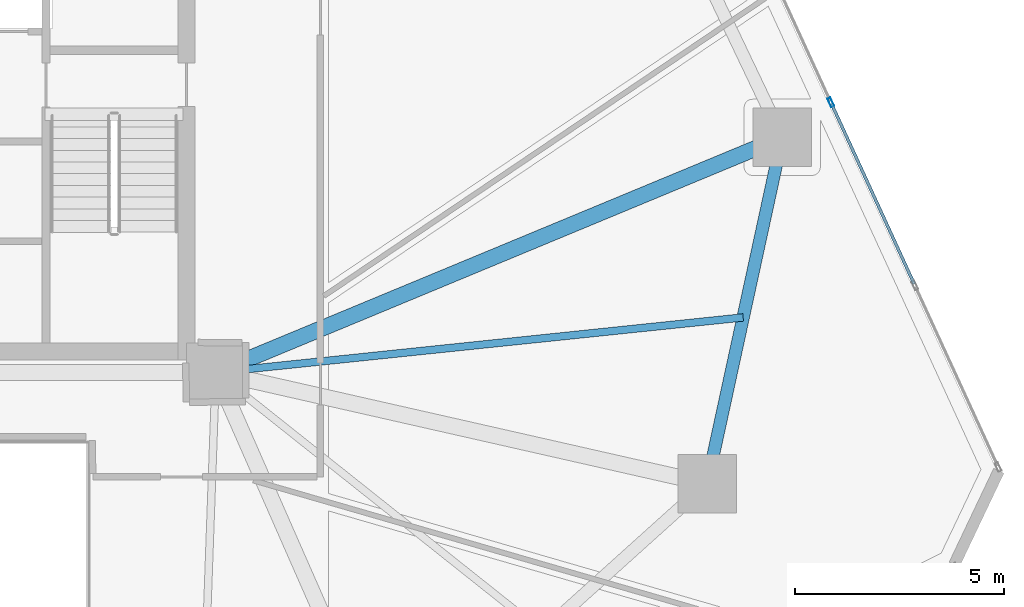
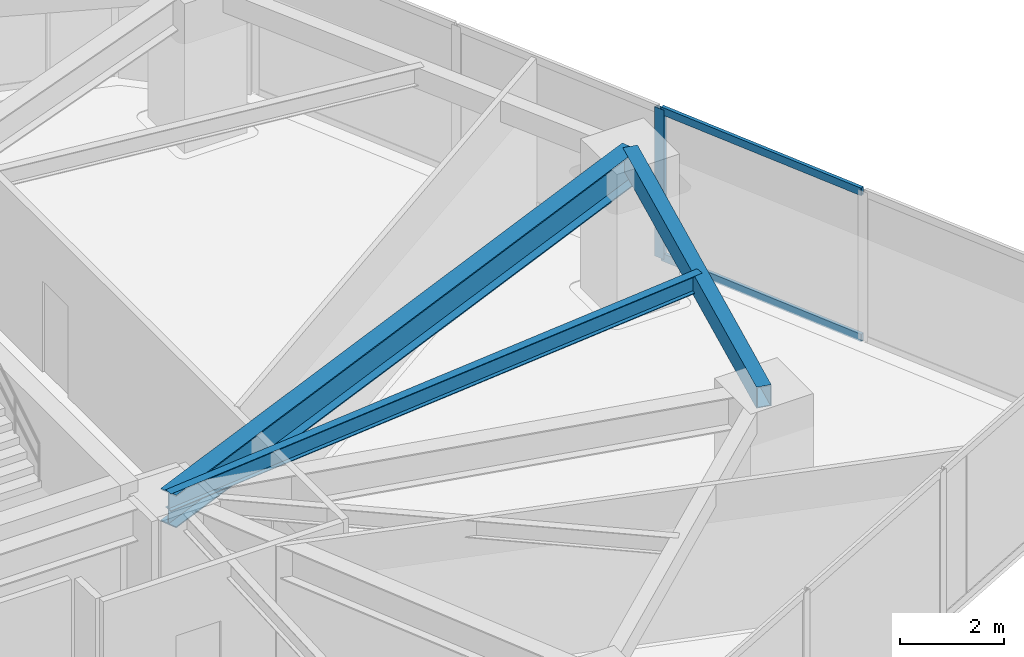
# One storey, part 12 of 24: 3 beams, 3 members, 1 element without a shape of its own.
"""IFC4 building model written with IfcOpenShell, lengths in metres."""

from ifc_helpers import new_model, si_unit, direction, frame, origin, origin_2d, place, context, subcontext, project, spatial, hollow_rectangle, i_section, extrude, source, transform, mapped, material, layer, layer_set, material_profile, profile_set, type_object, type_shapes, element, aggregate, save


model = new_model("IFC4")

# Units and contexts
model_context = context("Model", 3, precision=1e-05, world=origin(), true_north=direction((0.0, 1.0)))
body_context = subcontext(model_context, "Body", "Model", "MODEL_VIEW")
ifc_project = project(units=[si_unit("LENGTHUNIT", "METRE"), si_unit("AREAUNIT", "SQUARE_METRE"), si_unit("VOLUMEUNIT", "CUBIC_METRE"), si_unit("PLANEANGLEUNIT", "RADIAN"), si_unit("MASSUNIT", "GRAM", prefix="KILO")], contexts=[model_context])

# Site, building, storey
site_placement = place(None, origin())
site = spatial("IfcSite", under=ifc_project, at=site_placement, CompositionType="ELEMENT")
building_placement = place(site_placement, origin())
building = spatial("IfcBuilding", under=site, at=building_placement, Name="Talar Marvaseh", CompositionType="ELEMENT")
storey_placement = place(building_placement, frame((0.0, 0.0, 39.199951171875)))
storey = spatial("IfcBuildingStorey", under=building, at=storey_placement, Name="L09", CompositionType="ELEMENT", Elevation=39.199951171875)

# Beams
ifc_material_1 = material(Name="Steel S355", Category="steel")
ifc_material_profile_1 = material_profile(ifc_material_1, hollow_rectangle(XDim=0.300048828125, YDim=0.5, WallThickness=0.02001953125, at=origin_2d()), Name="RHS500x300x20")
ifc_profile_set_1 = profile_set([ifc_material_profile_1], Name="Steel S355")
beam_type_1 = type_object("IfcBeamType", Name="Zone 1 Perimeter Spandrel Beam RHS500x300x20", PredefinedType="SPANDREL", material=ifc_profile_set_1)
beam_1_placement = place(storey_placement, frame((46.841064453125, 31.118896484375, 3.27001953125), z_axis=(-0.212134113363, -0.977240562987, 0.0), x_axis=(0.977240562987, -0.212134113363, 0.0)))
element("IfcBeam", 1, at=beam_1_placement, inside=storey, type_object=beam_type_1, Name="L09 Zone 1 Perimeter Spandrel Beam RHS500x300x20", PredefinedType="SPANDREL", context=body_context, shape_type="SweptSolid", body=[
    extrude(hollow_rectangle(XDim=0.300048828125, YDim=0.5, WallThickness=0.02001953125, at=origin_2d()), origin(), (0.0, 0.0, 1.0), 8.4716796875),
])
ifc_material_profile_2 = material_profile(ifc_material_1, i_section(OverallWidth=0.381103515625, OverallDepth=0.77294921875, WebThickness=0.0166015625, FlangeThickness=0.027099609375, at=origin_2d()), Name="W760x257")
ifc_profile_set_2 = profile_set([ifc_material_profile_2], Name="Steel S355")
beam_type_2 = type_object("IfcBeamType", Name="Zone 1 Radial Floor Girder W760x257", PredefinedType="BEAM", material=ifc_profile_set_2)
beam_2_placement = place(storey_placement, frame((46.841064453125, 31.118896484375, 3.133544921875), z_axis=(-0.923637605375, -0.383266974753, 0.0), x_axis=(0.383266974753, -0.923637605375, 0.0)))
element("IfcBeam", 2, at=beam_2_placement, inside=storey, type_object=beam_type_2, Name="L09 Zone 1 Radial Floor Girder W760x257", PredefinedType="BEAM", context=body_context, shape_type="SweptSolid", body=[
    extrude(i_section(OverallWidth=0.381103515625, OverallDepth=0.77294921875, WebThickness=0.0166015625, FlangeThickness=0.027099609375, at=origin_2d()), origin(), (0.0, 0.0, 1.0), 14.66064453125),
])
ifc_material_profile_3 = material_profile(ifc_material_1, i_section(OverallWidth=0.179931640625, OverallDepth=0.4130859375, WebThickness=0.009765625, FlangeThickness=0.01611328125, at=origin_2d()), Name="W410x75")
ifc_profile_set_3 = profile_set([ifc_material_profile_3], Name="Steel S355")
beam_type_3 = type_object("IfcBeamType", Name="Zone 1 Secondary Floor Joist W410x75", PredefinedType="JOIST", material=ifc_profile_set_3)
beam_3_placement = place(storey_placement, frame((45.906494140625, 26.81396484375, 3.3134765625), z_axis=(-0.994611955975, -0.103668013538, 0.0), x_axis=(0.103668013538, -0.994611955975, 0.0)))
element("IfcBeam", 3, at=beam_3_placement, inside=storey, type_object=beam_type_3, Name="L09 Zone 1 Secondary Floor Joist W410x75", PredefinedType="JOIST", context=body_context, shape_type="SweptSolid", body=[
    extrude(i_section(OverallWidth=0.179931640625, OverallDepth=0.4130859375, WebThickness=0.009765625, FlangeThickness=0.01611328125, at=origin_2d()), origin(), (0.0, 0.0, 1.0), 12.6748046875),
])

# Curtain wall, members
ifc_material_2 = material(Name="Architectural Aluminium", Category="aluminium")
ifc_layer = layer(ifc_material_2, 0.219970703125)
ifc_layer_set = layer_set([ifc_layer], Name="Architectural Aluminium")
curtain_wall_type = type_object("IfcCurtainWallType", Name="Unitised Low-E Museum Curtain Wall Z1", PredefinedType="NOTDEFINED", material=ifc_layer_set)
curtain_wall_placement = place(storey_placement, origin())
curtain_wall = element("IfcCurtainWall", 4, at=curtain_wall_placement, inside=storey, type_object=curtain_wall_type, Name="L09 Unitised Low-E Museum Curtain Wall Z1", PredefinedType="NOTDEFINED")
ifc_material_profile_4 = material_profile(ifc_material_2, hollow_rectangle(XDim=0.080078125, YDim=0.219970703125, WallThickness=0.0048828125, at=origin_2d()), Name="RHS220x80x5")
ifc_profile_set_4 = profile_set([ifc_material_profile_4], Name="Architectural Aluminium")
member_type_1 = type_object("IfcMemberType", Name="Unitised Curtain Wall Heavy Mullion RHS220x80x5", PredefinedType="MULLION", material=ifc_profile_set_4)
shared_shape_1 = source(origin(), body_context, "Body", "SweptSolid", [
    extrude(hollow_rectangle(XDim=0.080078125, YDim=0.219970703125, WallThickness=0.0048828125, at=origin_2d()), origin(), (0.0, 0.0, 1.0), 3.52001953125),
])
type_shapes(member_type_1, [shared_shape_1])
member_1_placement = place(storey_placement, frame((48.001953125, 31.95458984375, 0.0), z_axis=(0.0, 0.0, 1.0), x_axis=(0.908844674972, 0.417134698599, 0.0)))
member_1 = element("IfcMember", 5, at=member_1_placement, type_object=member_type_1, Name="CW-Z1 mullion 3", PredefinedType="MULLION", context=body_context, shape_type="MappedRepresentation", body=[
    mapped(shared_shape_1, transform((0.0, 0.0, 0.0), x_axis=(1.0, 0.0, 0.0), y_axis=(0.0, 1.0, 0.0), z_axis=(0.0, 0.0, 1.0), scale=1.0)),
])
ifc_material_profile_5 = material_profile(ifc_material_2, hollow_rectangle(XDim=0.074951171875, YDim=0.179931640625, WallThickness=0.0048828125, at=origin_2d()), Name="RHS180x75x5")
ifc_profile_set_5 = profile_set([ifc_material_profile_5], Name="Architectural Aluminium")
member_type_2 = type_object("IfcMemberType", Name="Unitised Curtain Wall Transom RHS180x75x5", PredefinedType="USERDEFINED", material=ifc_profile_set_5)
shared_shape_2 = source(origin(), body_context, "Body", "SweptSolid", [
    extrude(hollow_rectangle(XDim=0.074951171875, YDim=0.179931640625, WallThickness=0.0048828125, at=origin_2d()), origin(), (0.0, 0.0, 1.0), 4.73681640625),
])
type_shapes(member_type_2, [shared_shape_2])
member_2_placement = place(storey_placement, frame((48.0185546875, 31.91845703125, 0.03759765625), z_axis=(0.417132066629, -0.908845882969, 0.0), x_axis=(0.908845882969, 0.417132066629, 0.0)))
member_2 = element("IfcMember", 6, at=member_2_placement, type_object=member_type_2, Name="CW-Z1 transom 3.1", ObjectType="TRANSOM", PredefinedType="USERDEFINED", context=body_context, shape_type="MappedRepresentation", body=[
    mapped(shared_shape_2, transform((0.0, 0.0, 0.0), x_axis=(1.0, 0.0, 0.0), y_axis=(0.0, 1.0, 0.0), z_axis=(0.0, 0.0, 1.0), scale=1.0)),
])
member_3_placement = place(storey_placement, frame((48.0185546875, 31.91845703125, 3.482666015625), z_axis=(0.417132066629, -0.908845882969, 0.0), x_axis=(0.908845882969, 0.417132066629, 0.0)))
member_3 = element("IfcMember", 7, at=member_3_placement, type_object=member_type_2, Name="CW-Z1 transom 3.2", ObjectType="TRANSOM", PredefinedType="USERDEFINED", context=body_context, shape_type="MappedRepresentation", body=[
    mapped(shared_shape_2, transform((0.0, 0.0, 0.0), x_axis=(1.0, 0.0, 0.0), y_axis=(0.0, 1.0, 0.0), z_axis=(0.0, 0.0, 1.0), scale=1.0)),
])
aggregate(curtain_wall, [member_1, member_2, member_3])

save(model, "model.ifc")
